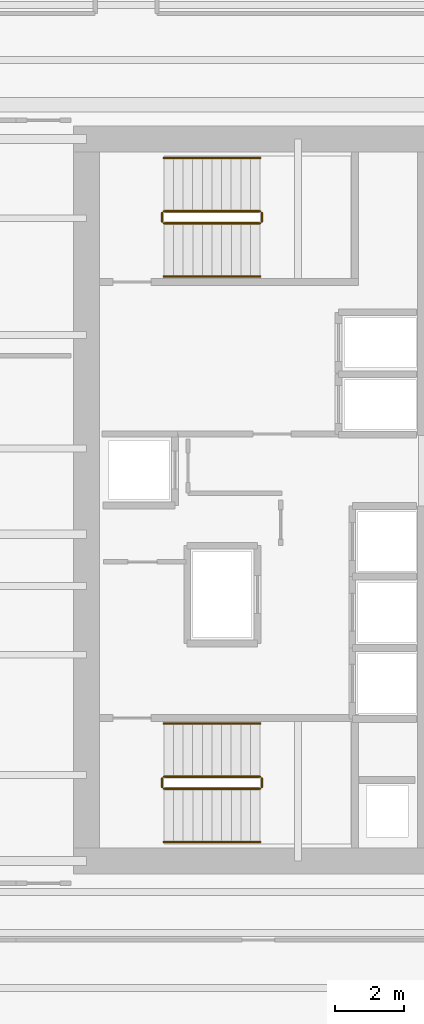
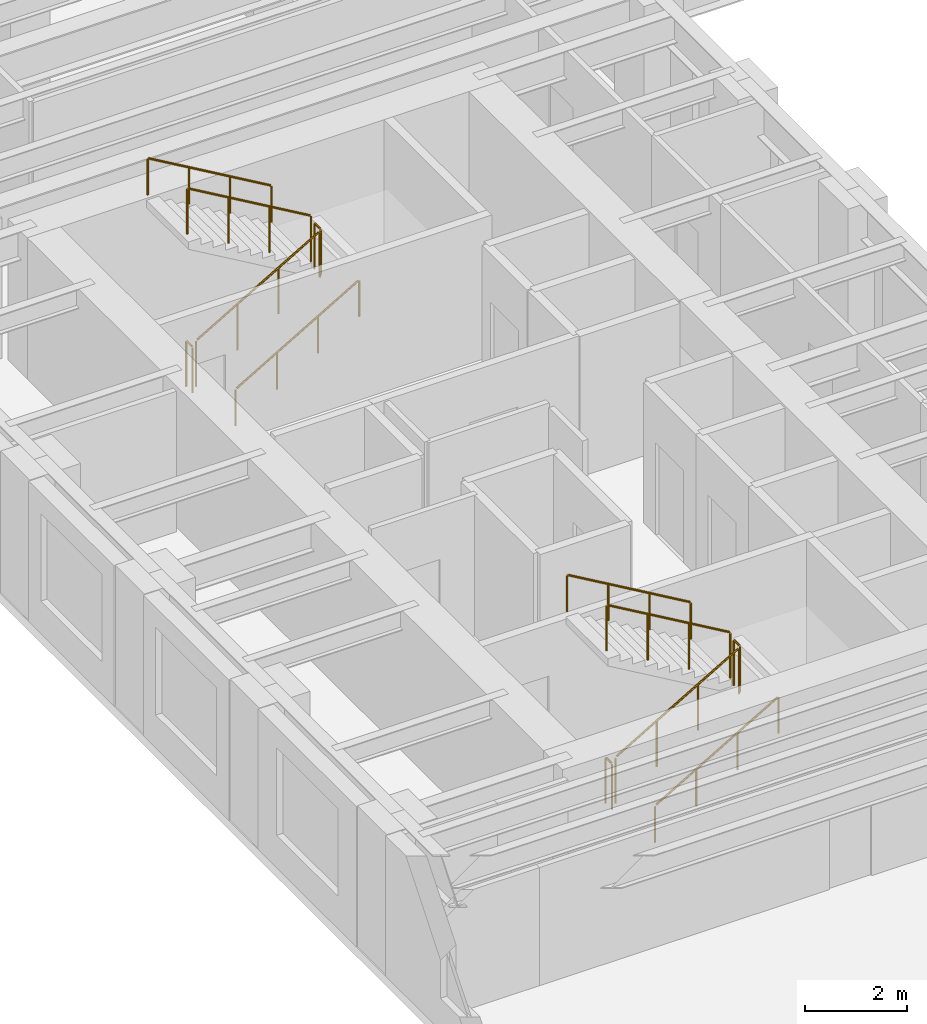
# One storey, part 12 of 13: 12 railings.
"""IFC4 building model written with IfcOpenShell, lengths in metres."""

import ifcopenshell
import ifcopenshell.guid

model = None  # the IFC model being written
_history = None  # IfcOwnerHistory: only IFC2X3 demands one
_inside = {}  # id of a spatial element -> (the spatial element, [elements in it])
_under = {}  # id of a project, library or spatial element -> (it, [spatial elements below it])
_declared = {}  # id of a project -> (the project, [libraries it declares])
_typed = {}  # id of a type object -> (the type object, [elements of that type])
_made_of = {}  # id of a material, layer set ... -> (it, [elements and type objects made of it])


def new_model(schema):
    """Start an empty IFC model of exactly this schema.

    Asked for "IFC4X3", IfcOpenShell would pick the latest addendum, in which some entities
    have other attributes; the version numbers below select the first issue.
    IFC2X3 requires an IfcOwnerHistory on every rooted entity: one is made here for all.
    """
    global model, _history
    if schema == "IFC4X3":
        model = ifcopenshell.file(schema_version=(4, 3, 0, 0))
    else:
        model = ifcopenshell.file(schema=schema)
    _inside.clear()
    _under.clear()
    _declared.clear()
    _typed.clear()
    _made_of.clear()
    _history = None
    if model.schema == "IFC2X3":
        org = make("IfcOrganization", Name="unknown")
        user = make(
            "IfcPersonAndOrganization",
            ThePerson=make("IfcPerson", FamilyName="unknown"),
            TheOrganization=org,
        )
        app = make(
            "IfcApplication",
            ApplicationDeveloper=org,
            Version="unknown",
            ApplicationFullName="unknown",
            ApplicationIdentifier="unknown",
        )
        _history = make(
            "IfcOwnerHistory",
            OwningUser=user,
            OwningApplication=app,
            ChangeAction="ADDED",
            CreationDate=0,
        )
    return model


def make(cls, **values):
    """One entity of the class cls with the attributes given. An attribute that is None is left unset."""
    return model.create_entity(
        cls, **{name: value for name, value in values.items() if value is not None}
    )


def rooted(cls, **values):
    """An entity with a GlobalId (a new one), such as an element, a storey or a relation."""
    return make(cls, GlobalId=ifcopenshell.guid.new(), OwnerHistory=_history, **values)


def si_unit(unit_type, name, prefix=None):
    """IfcSIUnit, for example si_unit("LENGTHUNIT", "METRE", prefix="MILLI")."""
    return make("IfcSIUnit", UnitType=unit_type, Prefix=prefix, Name=name)


def assignment(units):
    """IfcUnitAssignment: the units of a project."""
    return None if units is None else make("IfcUnitAssignment", Units=units)


def point(xyz):
    """IfcCartesianPoint."""
    return None if xyz is None else make("IfcCartesianPoint", Coordinates=xyz)


def direction(xyz):
    """IfcDirection."""
    return None if xyz is None else make("IfcDirection", DirectionRatios=xyz)


def frame(location, z_axis=None, x_axis=None):
    """IfcAxis2Placement3D, a coordinate frame: its origin and axes. An axis left out is left unset."""
    return make(
        "IfcAxis2Placement3D",
        Location=point(location),
        Axis=direction(z_axis),
        RefDirection=direction(x_axis),
    )


def frame_2d(location, x_axis=None):
    """IfcAxis2Placement2D, a coordinate frame in the plane: its origin and x axis."""
    return make(
        "IfcAxis2Placement2D", Location=point(location), RefDirection=direction(x_axis)
    )


def origin():
    """The frame at (0, 0, 0) with its axes left unset."""
    return frame((0.0, 0.0, 0.0))


def origin_2d():
    """The frame at (0, 0) in the plane with its x axis left unset."""
    return frame_2d((0.0, 0.0))


def place(relative_to, where):
    """IfcLocalPlacement: puts the frame where relative to a parent placement (None: the world)."""
    return make(
        "IfcLocalPlacement", PlacementRelTo=relative_to, RelativePlacement=where
    )


def context(
    kind, dimensions, precision=None, world=None, true_north=None, identifier=None
):
    """IfcGeometricRepresentationContext, for example the 3D "Model" context."""
    return make(
        "IfcGeometricRepresentationContext",
        ContextIdentifier=identifier,
        ContextType=kind,
        CoordinateSpaceDimension=dimensions,
        Precision=precision,
        WorldCoordinateSystem=world,
        TrueNorth=true_north,
    )


def subcontext(parent, identifier, kind, view, scale=None):
    """IfcGeometricRepresentationSubContext, for example "Body" below "Model"."""
    return make(
        "IfcGeometricRepresentationSubContext",
        ContextIdentifier=identifier,
        ContextType=kind,
        ParentContext=parent,
        TargetScale=scale,
        TargetView=view,
    )


def project(units=None, contexts=None):
    """IfcProject with its units and contexts."""
    return rooted(
        "IfcProject",
        Name="project",
        RepresentationContexts=contexts,
        UnitsInContext=assignment(units),
    )


def spatial(cls, under=None, at=None, **own):
    """A site, building, storey or space (cls), placed at a placement, below another one or the project."""
    s = rooted(cls, ObjectPlacement=at, **own)
    if under is not None:
        _under.setdefault(under.id(), (under, []))[1].append(s)
    return s


def profile(cls, at=None, kind="AREA", **sizes):
    """A parametric profile (cls). Its sizes go by their IFC names, for example OverallWidth=200.0."""
    return make(cls, ProfileType=kind, Position=at, **sizes)


def circle(**sizes):
    """IfcCircleProfileDef."""
    return profile("IfcCircleProfileDef", **sizes)


def extrude(swept, where, along, depth):
    """IfcExtrudedAreaSolid: the profile swept, set in the frame where, extruded along a direction by depth."""
    return make(
        "IfcExtrudedAreaSolid",
        SweptArea=swept,
        Position=where,
        ExtrudedDirection=direction(along),
        Depth=depth,
    )


def shape(context_of_items, identifier, shape_type, items):
    """IfcShapeRepresentation: the items that make up one representation, for example the "Body"."""
    return make(
        "IfcShapeRepresentation",
        ContextOfItems=context_of_items,
        RepresentationIdentifier=identifier,
        RepresentationType=shape_type,
        Items=items,
    )


def source(mapping_origin, context_of_items, identifier, shape_type, items):
    """IfcRepresentationMap: a shape defined once, which mapped items show again and again."""
    return make(
        "IfcRepresentationMap",
        MappingOrigin=mapping_origin,
        MappedRepresentation=shape(context_of_items, identifier, shape_type, items),
    )


def transform(
    local_origin,
    x_axis=None,
    y_axis=None,
    z_axis=None,
    scale=None,
    scale2=None,
    scale3=None,
    uniform=True,
):
    """IfcCartesianTransformationOperator3D, or its non-uniform kind. x_axis, y_axis, z_axis: its Axis1, 2, 3."""
    if uniform:
        return make(
            "IfcCartesianTransformationOperator3D",
            Axis1=direction(x_axis),
            Axis2=direction(y_axis),
            LocalOrigin=point(local_origin),
            Scale=scale,
            Axis3=direction(z_axis),
        )
    return make(
        "IfcCartesianTransformationOperator3DnonUniform",
        Axis1=direction(x_axis),
        Axis2=direction(y_axis),
        LocalOrigin=point(local_origin),
        Scale=scale,
        Axis3=direction(z_axis),
        Scale2=scale2,
        Scale3=scale3,
    )


def mapped(mapping_source, mapping_target):
    """IfcMappedItem: shows the shape of a source again, moved by a transform."""
    return make(
        "IfcMappedItem", MappingSource=mapping_source, MappingTarget=mapping_target
    )


def material(Name=None, Category=None):
    """IfcMaterial."""
    return make("IfcMaterial", Name=Name, Category=Category)


def layer(
    of_material, thickness, ventilated=None, Name=None, Category=None, Priority=None
):
    """IfcMaterialLayer: one layer of a wall or slab, of a material (None: an air gap)."""
    return make(
        "IfcMaterialLayer",
        Material=of_material,
        LayerThickness=thickness,
        IsVentilated=ventilated,
        Name=Name,
        Category=Category,
        Priority=Priority,
    )


def layer_set(layers, Name=None):
    """IfcMaterialLayerSet."""
    return make("IfcMaterialLayerSet", MaterialLayers=layers, LayerSetName=Name)


def made_of(thing, what):
    """Note that an element or type object is made of a material, layer set ...; save() writes the relation."""
    if what is not None:
        _made_of.setdefault(what.id(), (what, []))[1].append(thing)
    return thing


def type_object(cls, material=None, **own):
    """A type object (cls), such as IfcWallType, which elements share."""
    return made_of(rooted(cls, **own), material)


def element(
    cls,
    number,
    at=None,
    inside=None,
    cuts=None,
    type_object=None,
    material=None,
    context=None,
    identifier="Body",
    shape_type=None,
    held_by="IfcProductDefinitionShape",
    body=None,
    shapes=None,
    **own,
):
    """One element of the class cls, such as IfcWall. Its Tag is "e" and its number.

    at: its placement. inside: the storey or other place that contains it. cuts: it is an
    opening in that element (IfcRelVoidsElement). A single representation is given by context,
    identifier, shape_type and body (its items); several are given by shapes. held_by: the class
    of the entity that holds the representations. save() writes the other relations.
    """
    e = rooted(cls, Tag="e%d" % number, ObjectPlacement=at, **own)
    if body is not None:
        shapes = [shape(context, identifier, shape_type, body)]
    if shapes is not None:
        e.Representation = make(held_by, Representations=shapes)
    if inside is not None:
        _inside.setdefault(inside.id(), (inside, []))[1].append(e)
    if cuts is not None:
        rooted(
            "IfcRelVoidsElement", RelatingBuildingElement=cuts, RelatedOpeningElement=e
        )
    if type_object is not None:
        _typed.setdefault(type_object.id(), (type_object, []))[1].append(e)
    return made_of(e, material)


def aggregate(whole, parts):
    """IfcRelAggregates: a whole, such as a stair, and the parts it consists of."""
    return rooted("IfcRelAggregates", RelatingObject=whole, RelatedObjects=parts)


def save(model, path):
    """Write the relations noted so far, then the file.

    IfcRelAggregates (storeys below a building ...), IfcRelContainedInSpatialStructure (elements
    in a storey), IfcRelDefinesByType, IfcRelAssociatesMaterial and IfcRelDeclares: one each for
    every whole, place, type object, material and project.
    """
    for whole, parts in _under.values():
        aggregate(whole, parts)
    for where, things in _inside.values():
        rooted(
            "IfcRelContainedInSpatialStructure",
            RelatedElements=things,
            RelatingStructure=where,
        )
    for kind, things in _typed.values():
        rooted("IfcRelDefinesByType", RelatedObjects=things, RelatingType=kind)
    for what, things in _made_of.values():
        rooted("IfcRelAssociatesMaterial", RelatedObjects=things, RelatingMaterial=what)
    for by, libraries in _declared.values():
        rooted("IfcRelDeclares", RelatingContext=by, RelatedDefinitions=libraries)
    model.write(path)


model = new_model("IFC4")

# Units and contexts
model_context = context("Model", 3, precision=1e-05, world=origin(), true_north=direction((0.0, 1.0)))
body_context = subcontext(model_context, "Body", "Model", "MODEL_VIEW")
ifc_project = project(units=[si_unit("LENGTHUNIT", "METRE"), si_unit("AREAUNIT", "SQUARE_METRE"), si_unit("VOLUMEUNIT", "CUBIC_METRE"), si_unit("PLANEANGLEUNIT", "RADIAN"), si_unit("MASSUNIT", "GRAM", prefix="KILO")], contexts=[model_context])

# Site, building, storey
site_placement = place(None, origin())
site = spatial("IfcSite", under=ifc_project, at=site_placement, CompositionType="ELEMENT")
building_placement = place(site_placement, origin())
building = spatial("IfcBuilding", under=site, at=building_placement, Name="Kharzan Plaza Tower", CompositionType="ELEMENT")
storey_placement = place(building_placement, frame((0.0, 0.0, 109.800048828125)))
storey = spatial("IfcBuildingStorey", under=building, at=storey_placement, Name="L29", CompositionType="ELEMENT", Elevation=109.800048828125)

# Railings
ifc_material_1 = material(Name="Painted Galvanized Architectural Steel", Category="steel")
ifc_layer_1 = layer(ifc_material_1, 0.074951171875)
ifc_layer_set_1 = layer_set([ifc_layer_1], Name="Painted Galvanized Architectural Steel")
railing_type_1 = type_object("IfcRailingType", Name="RL-GUARD-1120", PredefinedType="BALUSTRADE", material=ifc_layer_set_1)
shared_shape_1 = source(origin(), body_context, "Body", "SweptSolid", [
    extrude(circle(Radius=0.02392578125, at=origin_2d()), frame((0.0, 0.0263671875, 1.09619140625), z_axis=(0.0, 1.0, 0.0), x_axis=(-1.0, 0.0, 0.0)), (0.0, 0.0, 1.0), 0.197021484375),
    extrude(circle(Radius=0.02099609375, at=origin_2d()), origin(), (0.0, 0.0, 1.0), 1.072021484375),
    extrude(circle(Radius=0.02099609375, at=origin_2d()), frame((0.0, 0.25, 0.0)), (0.0, 0.0, 1.0), 1.072021484375),
])
for number, where, name in (
    (1, (9.60009765625, 10.64990234375, 1.800048828125), "L29 ST-1 stair guard 2"),
    (2, (6.699951171875, 10.64990234375, 0.0), "L29 ST-1 stair guard 4"),
    (3, (9.60009765625, 27.10009765625, 1.800048828125), "L29 ST-2 stair guard 2"),
    (4, (6.699951171875, 27.10009765625, 0.0), "L29 ST-2 stair guard 4"),
):
    element("IfcRailing", number, at=place(storey_placement, frame(where)), inside=storey, type_object=railing_type_1, Name=name, PredefinedType="BALUSTRADE", context=body_context, shape_type="MappedRepresentation", body=[
        mapped(shared_shape_1, transform((0.0, 0.0, 0.0), x_axis=(1.0, 0.0, 0.0), y_axis=(0.0, 1.0, 0.0), z_axis=(0.0, 0.0, 1.0))),
    ])
shared_shape_2 = source(origin(), body_context, "Body", "SweptSolid", [
    extrude(circle(Radius=0.02392578125, at=origin_2d()), frame((0.02294921875, 0.0, 1.109375), z_axis=(0.863360870873, 0.0, 0.504586966384), x_axis=(0.0, 1.0, 0.0)), (0.0, 0.0, 1.0), 3.190185546875),
    extrude(circle(Radius=0.02099609375, at=origin_2d()), origin(), (0.0, 0.0, 1.0), 1.072021484375),
    extrude(circle(Radius=0.02099609375, at=origin_2d()), frame((0.933349609375, 0.0, 0.54541015625)), (0.0, 0.0, 1.0), 1.072021484375),
    extrude(circle(Radius=0.02099609375, at=origin_2d()), frame((1.86669921875, 0.0, 1.091064453125)), (0.0, 0.0, 1.0), 1.072021484375),
    extrude(circle(Radius=0.02099609375, at=origin_2d()), frame((2.800048828125, 0.0, 1.636474609375)), (0.0, 0.0, 1.0), 1.072021484375),
])
for number, where, name in (
    (5, (6.75, 10.60009765625, 0.16357421875), "L29 ST-1 stair guard 1"),
    (6, (6.75, 27.050048828125, 0.16357421875), "L29 ST-2 stair guard 1"),
):
    element("IfcRailing", number, at=place(storey_placement, frame(where)), inside=storey, type_object=railing_type_1, Name=name, PredefinedType="BALUSTRADE", context=body_context, shape_type="MappedRepresentation", body=[
        mapped(shared_shape_2, transform((0.0, 0.0, 0.0), x_axis=(1.0, 0.0, 0.0), y_axis=(0.0, 1.0, 0.0), z_axis=(0.0, 0.0, 1.0))),
    ])
ifc_material_2 = material(Name="Brushed Stainless Steel", Category="steel")
ifc_layer_2 = layer(ifc_material_2, 0.050048828125)
ifc_layer_set_2 = layer_set([ifc_layer_2], Name="Brushed Stainless Steel")
railing_type_2 = type_object("IfcRailingType", Name="RL-STAIR-HR920", PredefinedType="HANDRAIL", material=ifc_layer_set_2)
shared_shape_3 = source(origin(), body_context, "Body", "SweptSolid", [
    extrude(circle(Radius=0.02392578125, at=origin_2d()), frame((0.02294921875, 0.0, 0.88916015625), z_axis=(0.863360870873, 0.0, 0.504586966384), x_axis=(0.0, 1.0, 0.0)), (0.0, 0.0, 1.0), 3.190185546875),
    extrude(circle(Radius=0.02099609375, at=origin_2d()), origin(), (0.0, 0.0, 1.0), 0.851806640625),
    extrude(circle(Radius=0.02099609375, at=origin_2d()), frame((0.933349609375, 0.0, 0.54541015625)), (0.0, 0.0, 1.0), 0.851806640625),
    extrude(circle(Radius=0.02099609375, at=origin_2d()), frame((1.86669921875, 0.0, 1.091064453125)), (0.0, 0.0, 1.0), 0.851806640625),
    extrude(circle(Radius=0.02099609375, at=origin_2d()), frame((2.800048828125, 0.0, 1.636474609375)), (0.0, 0.0, 1.0), 0.851806640625),
])
for number, where, name in (
    (7, (6.75, 9.050048828125, 0.16357421875), "L29 ST-1 stair handrail 1"),
    (8, (6.75, 25.5, 0.16357421875), "L29 ST-2 stair handrail 1"),
):
    element("IfcRailing", number, at=place(storey_placement, frame(where)), inside=storey, type_object=railing_type_2, Name=name, PredefinedType="HANDRAIL", context=body_context, shape_type="MappedRepresentation", body=[
        mapped(shared_shape_3, transform((0.0, 0.0, 0.0), x_axis=(1.0, 0.0, 0.0), y_axis=(0.0, 1.0, 0.0), z_axis=(0.0, 0.0, 1.0))),
    ])
shared_shape_4 = source(origin(), body_context, "Body", "SweptSolid", [
    extrude(circle(Radius=0.02392578125, at=origin_2d()), frame((-0.02294921875, 0.0, 1.109375), z_axis=(-0.863393664356, 0.0, 0.504530851732), x_axis=(0.0, -1.0, 0.0)), (0.0, 0.0, 1.0), 3.190185546875),
    extrude(circle(Radius=0.02099609375, at=origin_2d()), origin(), (0.0, 0.0, 1.0), 1.072021484375),
    extrude(circle(Radius=0.02099609375, at=origin_2d()), frame((-0.933349609375, 0.0, 0.54541015625)), (0.0, 0.0, 1.0), 1.072021484375),
    extrude(circle(Radius=0.02099609375, at=origin_2d()), frame((-1.86669921875, 0.0, 1.0908203125)), (0.0, 0.0, 1.0), 1.072021484375),
    extrude(circle(Radius=0.02099609375, at=origin_2d()), frame((-2.800048828125, 0.0, 1.63623046875)), (0.0, 0.0, 1.0), 1.072021484375),
])
for number, where, name in (
    (9, (9.550048828125, 10.949951171875, 1.963623046875), "L29 ST-1 stair guard 3"),
    (10, (9.550048828125, 27.39990234375, 1.963623046875), "L29 ST-2 stair guard 3"),
):
    element("IfcRailing", number, at=place(storey_placement, frame(where)), inside=storey, type_object=railing_type_1, Name=name, PredefinedType="BALUSTRADE", context=body_context, shape_type="MappedRepresentation", body=[
        mapped(shared_shape_4, transform((0.0, 0.0, 0.0), x_axis=(1.0, 0.0, 0.0), y_axis=(0.0, 1.0, 0.0), z_axis=(0.0, 0.0, 1.0))),
    ])
shared_shape_5 = source(origin(), body_context, "Body", "SweptSolid", [
    extrude(circle(Radius=0.02392578125, at=origin_2d()), frame((-0.02294921875, 0.0, 0.88916015625), z_axis=(-0.863393664356, 0.0, 0.504530851732), x_axis=(0.0, -1.0, 0.0)), (0.0, 0.0, 1.0), 3.190185546875),
    extrude(circle(Radius=0.02099609375, at=origin_2d()), origin(), (0.0, 0.0, 1.0), 0.851806640625),
    extrude(circle(Radius=0.02099609375, at=origin_2d()), frame((-0.933349609375, 0.0, 0.54541015625)), (0.0, 0.0, 1.0), 0.851806640625),
    extrude(circle(Radius=0.02099609375, at=origin_2d()), frame((-1.86669921875, 0.0, 1.0908203125)), (0.0, 0.0, 1.0), 0.851806640625),
    extrude(circle(Radius=0.02099609375, at=origin_2d()), frame((-2.800048828125, 0.0, 1.63623046875)), (0.0, 0.0, 1.0), 0.851806640625),
])
for number, where, name in (
    (11, (9.550048828125, 12.5, 1.963623046875), "L29 ST-1 stair handrail 2"),
    (12, (9.550048828125, 28.949951171875, 1.963623046875), "L29 ST-2 stair handrail 2"),
):
    element("IfcRailing", number, at=place(storey_placement, frame(where)), inside=storey, type_object=railing_type_2, Name=name, PredefinedType="HANDRAIL", context=body_context, shape_type="MappedRepresentation", body=[
        mapped(shared_shape_5, transform((0.0, 0.0, 0.0), x_axis=(1.0, 0.0, 0.0), y_axis=(0.0, 1.0, 0.0), z_axis=(0.0, 0.0, 1.0))),
    ])

save(model, "model.ifc")
